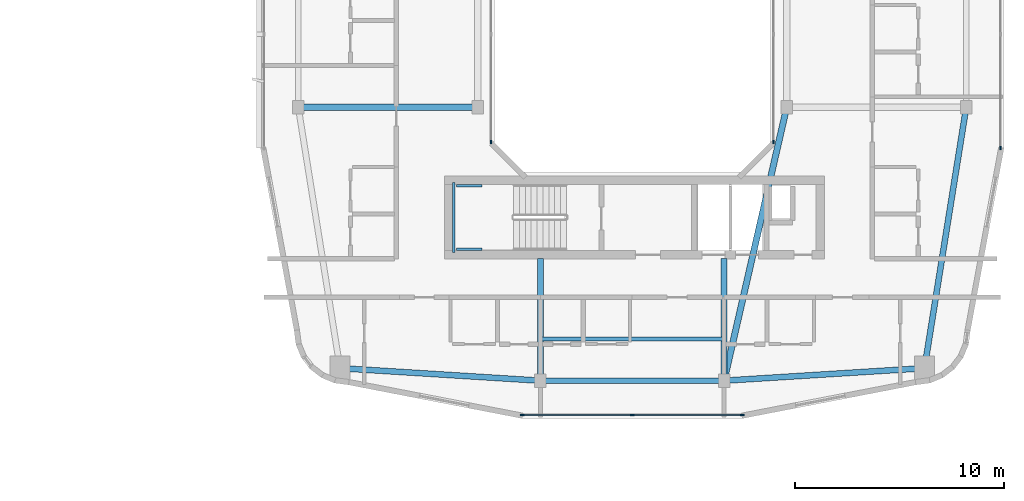
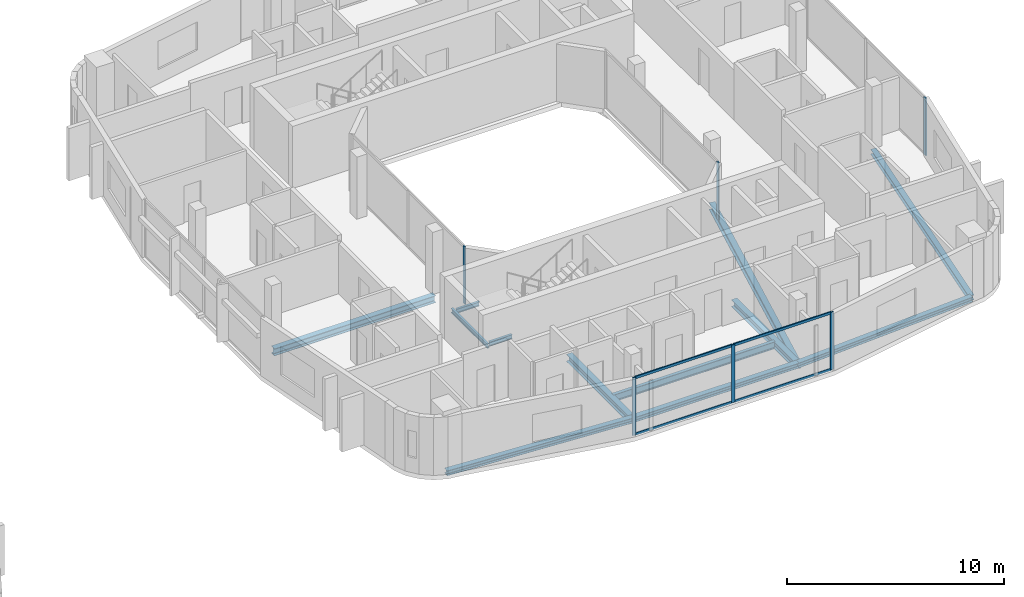
# One storey, part 8 of 26: 12 beams, 10 members, 4 elements without a shape of their own.
"""IFC4 building model written with IfcOpenShell, lengths in metres."""

from ifc_helpers import new_model, si_unit, derived_unit, direction, frame, origin, origin_2d, place, context, subcontext, project, spatial, rectangle, i_section, extrude, material, layer, layer_set, material_profile, profile_set, type_object, element, aggregate, save


model = new_model("IFC4")

# Units and contexts
model_context = context("Model", 3, precision=1e-05, world=origin(), true_north=direction((0.0, 1.0)))
body_context = subcontext(model_context, "Body", "Model", "MODEL_VIEW")
ifc_project = project(units=[si_unit("LENGTHUNIT", "METRE"), si_unit("AREAUNIT", "SQUARE_METRE"), si_unit("VOLUMEUNIT", "CUBIC_METRE"), si_unit("PLANEANGLEUNIT", "RADIAN"), si_unit("MASSUNIT", "GRAM", prefix="KILO"), derived_unit("THERMALTRANSMITTANCEUNIT", [(si_unit("POWERUNIT", "WATT"), 1), (si_unit("LENGTHUNIT", "METRE"), -2), (si_unit("THERMODYNAMICTEMPERATUREUNIT", "KELVIN"), -1)])], contexts=[model_context])

# Site, building, storey
site_placement = place(None, origin())
site = spatial("IfcSite", under=ifc_project, at=site_placement, CompositionType="ELEMENT")
building_placement = place(site_placement, origin())
building = spatial("IfcBuilding", under=site, at=building_placement, Name="Kivonza Crest Hotel", CompositionType="ELEMENT")
storey_placement = place(building_placement, frame((0.0, 0.0, 109.0)))
storey = spatial("IfcBuildingStorey", under=building, at=storey_placement, Name="L29", CompositionType="ELEMENT", Elevation=109.0)

# Beams
ifc_material_1 = material(Name="Steel S355", Category="steel")
ifc_material_profile_1 = material_profile(ifc_material_1, i_section(OverallWidth=0.280029296875, OverallDepth=0.280029296875, WebThickness=0.010498046875, FlangeThickness=0.01806640625, FilletRadius=0.02392578125, at=origin_2d()), Name="HEB 280")
ifc_profile_set_1 = profile_set([ifc_material_profile_1], Name="Steel S355")
beam_type_1 = type_object("IfcBeamType", Name="BM-HEB280", PredefinedType="SPANDREL", material=ifc_profile_set_1)
beam_1_placement = place(storey_placement, frame((72.60009765625, 8.39990234375, -0.389892578125), z_axis=(1.0, 0.0, 0.0), x_axis=(0.0, 1.0, 0.0)))
element("IfcBeam", 1, at=beam_1_placement, inside=storey, type_object=beam_type_1, Name="Companion Tower T2 L29 perimeter spandrel S1-S2", PredefinedType="SPANDREL", context=body_context, shape_type="SweptSolid", body=[
    extrude(i_section(OverallWidth=0.280029296875, OverallDepth=0.280029296875, WebThickness=0.010498046875, FlangeThickness=0.01806640625, FilletRadius=0.02392578125, at=origin_2d()), origin(), (0.0, 0.0, 1.0), 8.7998046875),
])
beam_2_placement = place(storey_placement, frame((81.39990234375, 8.39990234375, -0.389892578125), z_axis=(0.998051985873, 0.062387767186, 0.0), x_axis=(-0.062387767186, 0.998051985873, 0.0)))
element("IfcBeam", 2, at=beam_2_placement, inside=storey, type_object=beam_type_1, Name="Companion Tower T2 L29 perimeter spandrel S2-SE", PredefinedType="SPANDREL", context=body_context, shape_type="SweptSolid", body=[
    extrude(i_section(OverallWidth=0.280029296875, OverallDepth=0.280029296875, WebThickness=0.010498046875, FlangeThickness=0.01806640625, FilletRadius=0.02392578125, at=origin_2d()), origin(), (0.0, 0.0, 1.0), 9.618896484375),
])
beam_3_placement = place(storey_placement, frame((91.0, 9.0, -0.389892578125), z_axis=(0.157990501107, 0.987440631917, 0.0), x_axis=(-0.987440631917, 0.157990501107, 0.0)))
element("IfcBeam", 3, at=beam_3_placement, inside=storey, type_object=beam_type_1, Name="Companion Tower T2 L29 perimeter spandrel SE-E1", PredefinedType="SPANDREL", context=body_context, shape_type="SweptSolid", body=[
    extrude(i_section(OverallWidth=0.280029296875, OverallDepth=0.280029296875, WebThickness=0.010498046875, FlangeThickness=0.01806640625, FilletRadius=0.02392578125, at=origin_2d()), origin(), (0.0, 0.0, 1.0), 12.658935546875),
])
beam_4_placement = place(storey_placement, frame((63.0, 9.0, -0.389892578125), z_axis=(0.998051985873, -0.062387767186, 0.0), x_axis=(0.062387767186, 0.998051985873, 0.0)))
element("IfcBeam", 4, at=beam_4_placement, inside=storey, type_object=beam_type_1, Name="Companion Tower T2 L29 perimeter spandrel SW-S1", PredefinedType="SPANDREL", context=body_context, shape_type="SweptSolid", body=[
    extrude(i_section(OverallWidth=0.280029296875, OverallDepth=0.280029296875, WebThickness=0.010498046875, FlangeThickness=0.01806640625, FilletRadius=0.02392578125, at=origin_2d()), origin(), (0.0, 0.0, 1.0), 9.618896484375),
])
ifc_material_profile_2 = material_profile(ifc_material_1, i_section(OverallWidth=0.300048828125, OverallDepth=0.39990234375, WebThickness=0.013427734375, FlangeThickness=0.02392578125, FilletRadius=0.027099609375, at=origin_2d()), Name="HEB 400")
ifc_profile_set_2 = profile_set([ifc_material_profile_2], Name="Steel S355")
beam_type_2 = type_object("IfcBeamType", Name="BM-HEB400", PredefinedType="BEAM", material=ifc_profile_set_2)
beam_5_placement = place(storey_placement, frame((61.0, 21.5, -0.449951171875), z_axis=(1.0, 0.0, 0.0), x_axis=(0.0, 1.0, 0.0)))
element("IfcBeam", 5, at=beam_5_placement, inside=storey, type_object=beam_type_2, Name="Companion Tower T2 L29 girder W1-WL1", PredefinedType="BEAM", context=body_context, shape_type="SweptSolid", body=[
    extrude(i_section(OverallWidth=0.300048828125, OverallDepth=0.39990234375, WebThickness=0.013427734375, FlangeThickness=0.02392578125, FilletRadius=0.027099609375, at=origin_2d()), origin(), (0.0, 0.0, 1.0), 8.60009765625),
])
beam_6_placement = place(storey_placement, frame((84.39990234375, 21.5, -0.449951171875), z_axis=(-0.223227287589, -0.974766422317, 0.0), x_axis=(0.974766422317, -0.223227287589, 0.0)))
element("IfcBeam", 6, at=beam_6_placement, inside=storey, type_object=beam_type_2, Name="Companion Tower T2 L29 girder WR1-S2", PredefinedType="BEAM", context=body_context, shape_type="SweptSolid", body=[
    extrude(i_section(OverallWidth=0.300048828125, OverallDepth=0.39990234375, WebThickness=0.013427734375, FlangeThickness=0.02392578125, FilletRadius=0.027099609375, at=origin_2d()), origin(), (0.0, 0.0, 1.0), 13.439208984375),
])
for number, where, z_axis, x_axis, name in (
    (7, (72.60009765625, 8.39990234375, -0.449951171875), (0.0, 1.0, 0.0), (-1.0, 0.0, 0.0), "Companion T2 L29 radial core girder RS1"),
    (8, (81.39990234375, 8.39990234375, -0.449951171875), (0.0, 1.0, 0.0), (-1.0, 0.0, 0.0), "Companion T2 L29 radial core girder RS2"),
):
    element("IfcBeam", number, at=place(storey_placement, frame(where, z_axis=z_axis, x_axis=x_axis)), inside=storey, type_object=beam_type_2, Name=name, PredefinedType="BEAM", context=body_context, shape_type="SweptSolid", body=[
        extrude(i_section(OverallWidth=0.300048828125, OverallDepth=0.39990234375, WebThickness=0.013427734375, FlangeThickness=0.02392578125, FilletRadius=0.027099609375, at=origin_2d()), origin(), (0.0, 0.0, 1.0), 5.85009765625),
    ])
ifc_material_profile_3 = material_profile(ifc_material_1, i_section(OverallWidth=0.179931640625, OverallDepth=0.39990234375, WebThickness=0.008544921875, FlangeThickness=0.013427734375, FilletRadius=0.02099609375, at=origin_2d()), Name="IPE 400")
ifc_profile_set_3 = profile_set([ifc_material_profile_3], Name="Steel S355")
beam_type_3 = type_object("IfcBeamType", Name="BM-IPE400", PredefinedType="JOIST", material=ifc_profile_set_3)
beam_7_placement = place(storey_placement, frame((72.679931640625, 10.39990234375, -0.449951171875), z_axis=(1.0, 0.0, 0.0), x_axis=(0.0, 1.0, 0.0)))
element("IfcBeam", 9, at=beam_7_placement, inside=storey, type_object=beam_type_3, Name="Companion Tower T2 L29 South floor joist", PredefinedType="JOIST", context=body_context, shape_type="SweptSolid", body=[
    extrude(i_section(OverallWidth=0.179931640625, OverallDepth=0.39990234375, WebThickness=0.008544921875, FlangeThickness=0.013427734375, FilletRadius=0.02099609375, at=origin_2d()), origin(), (0.0, 0.0, 1.0), 8.64013671875),
])
ifc_material_profile_4 = material_profile(ifc_material_1, i_section(OverallWidth=0.1201171875, OverallDepth=0.239990234375, WebThickness=0.006103515625, FlangeThickness=0.009765625, FilletRadius=0.014892578125, at=origin_2d()), Name="IPE 240")
ifc_profile_set_4 = profile_set([ifc_material_profile_4], Name="Steel S355")
beam_type_4 = type_object("IfcBeamType", Name="BM-LLDG-240", PredefinedType="BEAM", material=ifc_profile_set_4)
beam_8_placement = place(storey_placement, frame((68.4599609375, 14.5400390625, 1.429931640625), z_axis=(0.0, 1.0, 0.0), x_axis=(-1.0, 0.0, 0.0)))
element("IfcBeam", 10, at=beam_8_placement, inside=storey, type_object=beam_type_4, Name="Stair ST-T2-S L29 West landing corbel", PredefinedType="BEAM", context=body_context, shape_type="SweptSolid", body=[
    extrude(i_section(OverallWidth=0.1201171875, OverallDepth=0.239990234375, WebThickness=0.006103515625, FlangeThickness=0.009765625, FilletRadius=0.014892578125, at=origin_2d()), origin(), (0.0, 0.0, 1.0), 3.35986328125),
])
for number, where, z_axis, x_axis, name in (
    (11, (68.590087890625, 14.699951171875, 1.429931640625), (1.0, 0.0, 0.0), (0.0, 1.0, 0.0), "Stair ST-T2-S L29 South landing corbel"),
    (12, (68.590087890625, 17.739990234375, 1.429931640625), (1.0, 0.0, 0.0), (0.0, 1.0, 0.0), "Stair ST-T2-S L29 North landing corbel"),
):
    element("IfcBeam", number, at=place(storey_placement, frame(where, z_axis=z_axis, x_axis=x_axis)), inside=storey, type_object=beam_type_4, Name=name, PredefinedType="BEAM", context=body_context, shape_type="SweptSolid", body=[
        extrude(i_section(OverallWidth=0.1201171875, OverallDepth=0.239990234375, WebThickness=0.006103515625, FlangeThickness=0.009765625, FilletRadius=0.014892578125, at=origin_2d()), origin(), (0.0, 0.0, 1.0), 1.2099609375),
    ])

# Curtain wall, members
ifc_material_2 = material(Name="Anodised bronze aluminium and low-E double glazing", Category="aluminium")
ifc_layer_1 = layer(ifc_material_2, 0.179931640625)
ifc_layer_set_1 = layer_set([ifc_layer_1], Name="Anodised bronze aluminium and low-E double glazing")
curtain_wall_type_1 = type_object("IfcCurtainWallType", Name="CW-SYS-4", PredefinedType="NOTDEFINED", material=ifc_layer_set_1)
curtain_wall_1_placement = place(storey_placement, origin())
curtain_wall_1 = element("IfcCurtainWall", 13, at=curtain_wall_1_placement, inside=storey, type_object=curtain_wall_type_1, Name="L29 unitised curtain wall CW-T2-L29-08", PredefinedType="NOTDEFINED")
ifc_material_3 = material(Name="Anodised bronze aluminium", Category="aluminium")
ifc_material_profile_5 = material_profile(ifc_material_3, rectangle(XDim=0.06494140625, YDim=0.179931640625, at=origin_2d()), Name="CW-M 65x180")
ifc_profile_set_5 = profile_set([ifc_material_profile_5], Name="Anodised bronze aluminium")
member_type_1 = type_object("IfcMemberType", Name="CW-MUL-65x180", PredefinedType="MULLION", material=ifc_profile_set_5)
member_1_placement = place(storey_placement, frame((71.732421875, 6.760009765625, 0.0), z_axis=(0.0, 0.0, 1.0), x_axis=(0.0, 1.0, 0.0)))
member_1 = element("IfcMember", 14, at=member_1_placement, type_object=member_type_1, Name="CW-4 mullion 1", PredefinedType="MULLION", context=body_context, shape_type="SweptSolid", body=[
    extrude(rectangle(XDim=0.06494140625, YDim=0.179931640625, at=origin_2d()), origin(), (0.0, 0.0, 1.0), 3.25),
])
member_2_placement = place(storey_placement, frame((77.0, 6.760009765625, 0.0), z_axis=(0.0, 0.0, 1.0), x_axis=(0.0, 1.0, 0.0)))
member_2 = element("IfcMember", 15, at=member_2_placement, type_object=member_type_1, Name="CW-4 mullion 2", PredefinedType="MULLION", context=body_context, shape_type="SweptSolid", body=[
    extrude(rectangle(XDim=0.06494140625, YDim=0.179931640625, at=origin_2d()), origin(), (0.0, 0.0, 1.0), 3.25),
])
member_3_placement = place(storey_placement, frame((82.267578125, 6.760009765625, 0.0), z_axis=(0.0, 0.0, 1.0), x_axis=(0.0, 1.0, 0.0)))
member_3 = element("IfcMember", 16, at=member_3_placement, type_object=member_type_1, Name="CW-4 mullion 3", PredefinedType="MULLION", context=body_context, shape_type="SweptSolid", body=[
    extrude(rectangle(XDim=0.06494140625, YDim=0.179931640625, at=origin_2d()), origin(), (0.0, 0.0, 1.0), 3.25),
])

# Curtain wall, member
curtain_wall_2_placement = place(storey_placement, origin())
curtain_wall_2 = element("IfcCurtainWall", 17, at=curtain_wall_2_placement, inside=storey, type_object=curtain_wall_type_1, Name="L29 unitised curtain wall CW-T2-L29-17", PredefinedType="NOTDEFINED")
member_4_placement = place(storey_placement, frame((94.639892578125, 19.552490234375, 0.0), z_axis=(0.0, 0.0, 1.0), x_axis=(-1.0, 0.0, 0.0)))
member_4 = element("IfcMember", 18, at=member_4_placement, type_object=member_type_1, Name="CW-4 mullion 1", PredefinedType="MULLION", context=body_context, shape_type="SweptSolid", body=[
    extrude(rectangle(XDim=0.06494140625, YDim=0.179931640625, at=origin_2d()), origin(), (0.0, 0.0, 1.0), 3.25),
])
aggregate(curtain_wall_2, [member_4])

ifc_layer_2 = layer(ifc_material_2, 0.159912109375)
ifc_layer_set_2 = layer_set([ifc_layer_2], Name="Anodised bronze aluminium and low-E double glazing")
curtain_wall_type_2 = type_object("IfcCurtainWallType", Name="CW-SYS-5", PredefinedType="NOTDEFINED", material=ifc_layer_set_2)
curtain_wall_3_placement = place(storey_placement, origin())
curtain_wall_3 = element("IfcCurtainWall", 19, at=curtain_wall_3_placement, inside=storey, type_object=curtain_wall_type_2, Name="L29 unitised curtain wall CW-WELL-T2-L29-3", PredefinedType="NOTDEFINED")
member_5_placement = place(storey_placement, frame((83.760009765625, 19.83251953125, 0.0), z_axis=(0.0, 0.0, 1.0), x_axis=(-1.0, 0.0, 0.0)))
member_5 = element("IfcMember", 20, at=member_5_placement, type_object=member_type_1, Name="CW-5 mullion 1", PredefinedType="MULLION", context=body_context, shape_type="SweptSolid", body=[
    extrude(rectangle(XDim=0.06494140625, YDim=0.179931640625, at=origin_2d()), origin(), (0.0, 0.0, 1.0), 3.25),
])
aggregate(curtain_wall_3, [member_5])

curtain_wall_4_placement = place(storey_placement, origin())
curtain_wall_4 = element("IfcCurtainWall", 21, at=curtain_wall_4_placement, inside=storey, type_object=curtain_wall_type_2, Name="L29 unitised curtain wall CW-WELL-T2-L29-7", PredefinedType="NOTDEFINED")
member_6_placement = place(storey_placement, frame((70.239990234375, 19.83251953125, 0.0), z_axis=(0.0, 0.0, 1.0), x_axis=(1.0, 0.0, 0.0)))
member_6 = element("IfcMember", 22, at=member_6_placement, type_object=member_type_1, Name="CW-5 mullion 3", PredefinedType="MULLION", context=body_context, shape_type="SweptSolid", body=[
    extrude(rectangle(XDim=0.06494140625, YDim=0.179931640625, at=origin_2d()), origin(), (0.0, 0.0, 1.0), 3.25),
])
aggregate(curtain_wall_4, [member_6])

# Member
ifc_material_profile_6 = material_profile(ifc_material_3, rectangle(XDim=0.06494140625, YDim=0.139892578125, at=origin_2d()), Name="CW-T 65x140")
ifc_profile_set_6 = profile_set([ifc_material_profile_6], Name="Anodised bronze aluminium")
member_type_2 = type_object("IfcMemberType", Name="CW-TRN-65x140", PredefinedType="USERDEFINED", material=ifc_profile_set_6)
member_7_placement = place(storey_placement, frame((71.764892578125, 6.760009765625, 0.032470703125), z_axis=(1.0, 0.0, 0.0), x_axis=(0.0, 1.0, 0.0)))
member_7 = element("IfcMember", 23, at=member_7_placement, type_object=member_type_2, Name="CW-4 transom 1.1", ObjectType="TRANSOM", PredefinedType="USERDEFINED", context=body_context, shape_type="SweptSolid", body=[
    extrude(rectangle(XDim=0.06494140625, YDim=0.139892578125, at=origin_2d()), origin(), (0.0, 0.0, 1.0), 5.20263671875),
])

member_8_placement = place(storey_placement, frame((71.764892578125, 6.760009765625, 3.217529296875), z_axis=(1.0, 0.0, 0.0), x_axis=(0.0, 1.0, 0.0)))
member_8 = element("IfcMember", 24, at=member_8_placement, type_object=member_type_2, Name="CW-4 transom 1.2", ObjectType="TRANSOM", PredefinedType="USERDEFINED", context=body_context, shape_type="SweptSolid", body=[
    extrude(rectangle(XDim=0.06494140625, YDim=0.139892578125, at=origin_2d()), origin(), (0.0, 0.0, 1.0), 5.20263671875),
])

member_9_placement = place(storey_placement, frame((77.032470703125, 6.760009765625, 0.032470703125), z_axis=(1.0, 0.0, 0.0), x_axis=(0.0, 1.0, 0.0)))
member_9 = element("IfcMember", 25, at=member_9_placement, type_object=member_type_2, Name="CW-4 transom 2.1", ObjectType="TRANSOM", PredefinedType="USERDEFINED", context=body_context, shape_type="SweptSolid", body=[
    extrude(rectangle(XDim=0.06494140625, YDim=0.139892578125, at=origin_2d()), origin(), (0.0, 0.0, 1.0), 5.20263671875),
])

member_10_placement = place(storey_placement, frame((77.032470703125, 6.760009765625, 3.217529296875), z_axis=(1.0, 0.0, 0.0), x_axis=(0.0, 1.0, 0.0)))
member_10 = element("IfcMember", 26, at=member_10_placement, type_object=member_type_2, Name="CW-4 transom 2.2", ObjectType="TRANSOM", PredefinedType="USERDEFINED", context=body_context, shape_type="SweptSolid", body=[
    extrude(rectangle(XDim=0.06494140625, YDim=0.139892578125, at=origin_2d()), origin(), (0.0, 0.0, 1.0), 5.20263671875),
])

aggregate(curtain_wall_1, [member_1, member_2, member_3, member_7, member_8, member_9, member_10])

save(model, "model.ifc")
